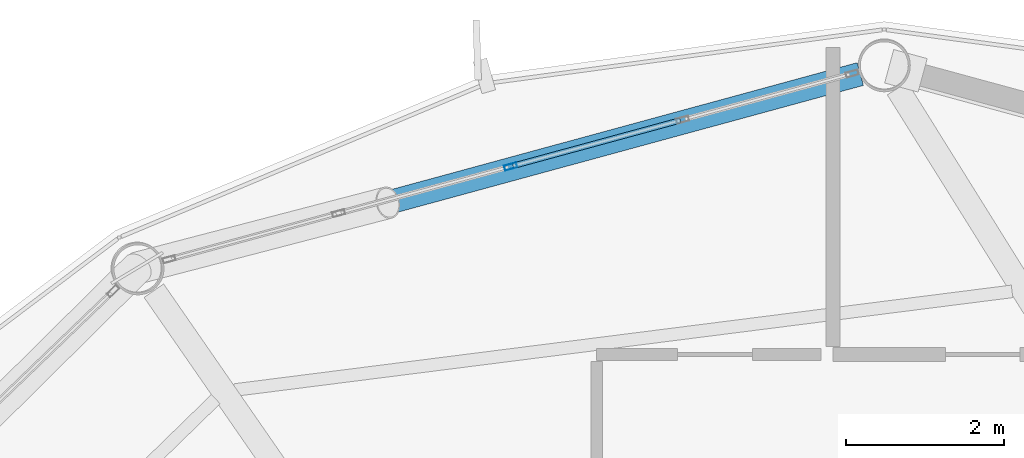
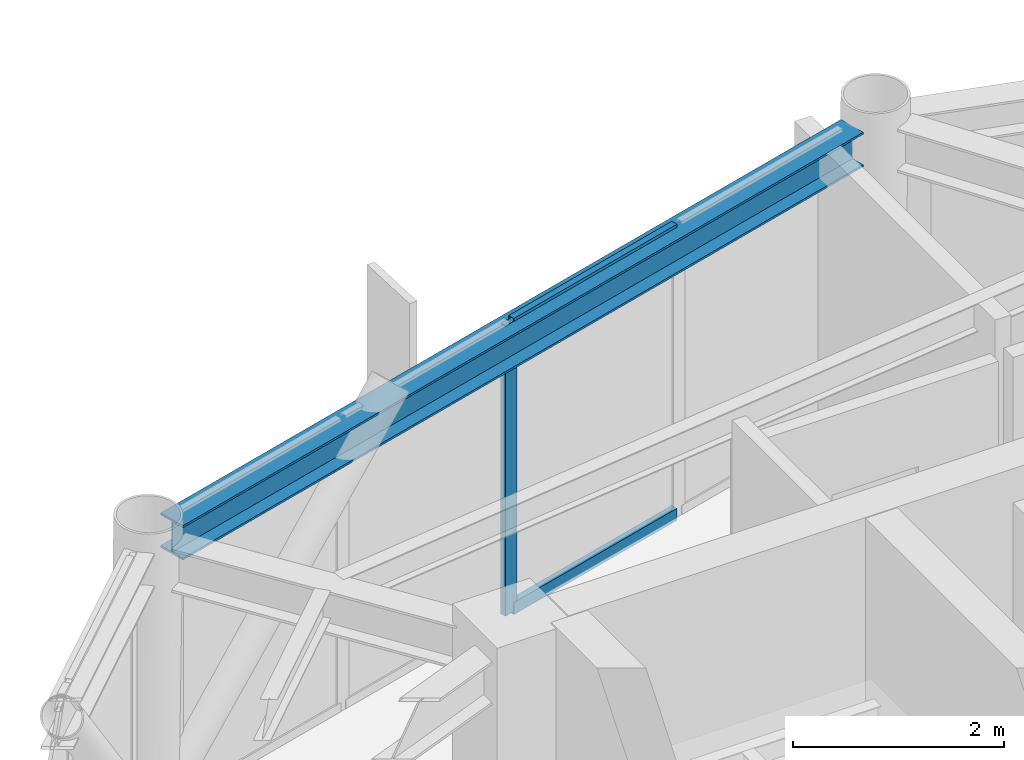
# One storey, part 19 of 28: 3 members, 1 beam, 1 element without a shape of its own.
"""IFC4 building model written with IfcOpenShell, lengths in metres."""

from ifc_helpers import new_model, si_unit, direction, frame, origin, origin_2d, place, context, subcontext, project, spatial, hollow_rectangle, i_section, extrude, material, layer, layer_set, material_profile, profile_set, type_object, element, aggregate, save


model = new_model("IFC4")

# Units and contexts
model_context = context("Model", 3, precision=1e-05, world=origin(), true_north=direction((0.0, 1.0)))
body_context = subcontext(model_context, "Body", "Model", "MODEL_VIEW")
ifc_project = project(units=[si_unit("LENGTHUNIT", "METRE"), si_unit("AREAUNIT", "SQUARE_METRE"), si_unit("VOLUMEUNIT", "CUBIC_METRE"), si_unit("PLANEANGLEUNIT", "RADIAN"), si_unit("MASSUNIT", "GRAM", prefix="KILO")], contexts=[model_context])

# Site, building, storey
site_placement = place(None, origin())
site = spatial("IfcSite", under=ifc_project, at=site_placement, CompositionType="ELEMENT")
building_placement = place(site_placement, origin())
building = spatial("IfcBuilding", under=site, at=building_placement, Name="Varnakorn Sky Granary", CompositionType="ELEMENT")
storey_placement = place(building_placement, frame((0.0, 0.0, 214.800048828125)))
storey = spatial("IfcBuildingStorey", under=building, at=storey_placement, Name="L54", CompositionType="ELEMENT", Elevation=214.800048828125)

# Beam
ifc_material_1 = material(Name="Steel S355JR", Category="steel")
ifc_material_profile_1 = material_profile(ifc_material_1, i_section(OverallWidth=0.300048828125, OverallDepth=0.39990234375, WebThickness=0.013427734375, FlangeThickness=0.02392578125, at=origin_2d()), Name="HE 400 B")
ifc_profile_set_1 = profile_set([ifc_material_profile_1], Name="Steel S355JR")
beam_type = type_object("IfcBeamType", Name="BM-SPD-Z4", PredefinedType="SPANDREL", material=ifc_profile_set_1)
beam_placement = place(storey_placement, frame((4.546142578125, 18.26123046875, 3.159912109375), z_axis=(-0.964843073533, -0.262826641449, 0.0), x_axis=(0.262826641449, -0.964843073533, 0.0)))
element("IfcBeam", 1, at=beam_placement, inside=storey, type_object=beam_type, Name="Perimeter Spandrel Ring Beam RB04 L54", PredefinedType="SPANDREL", context=body_context, shape_type="SweptSolid", body=[
    extrude(i_section(OverallWidth=0.300048828125, OverallDepth=0.39990234375, WebThickness=0.013427734375, FlangeThickness=0.02392578125, at=origin_2d()), origin(), (0.0, 0.0, 1.0), 9.16552734375),
])

# Curtain wall, members
ifc_material_2 = material(Name="Anodised Bronze Aluminium Alloy 6063-T6", Category="aluminium")
ifc_layer = layer(ifc_material_2, 0.169921875, Name="Anodised Bronze Aluminium Alloy 6063-T6")
ifc_layer_set = layer_set([ifc_layer], Name="Anodised Bronze Aluminium Alloy 6063-T6")
curtain_wall_type = type_object("IfcCurtainWallType", Name="CW-LAB-1", PredefinedType="USERDEFINED", material=ifc_layer_set)
curtain_wall_placement = place(storey_placement, origin())
curtain_wall = element("IfcCurtainWall", 2, at=curtain_wall_placement, inside=storey, type_object=curtain_wall_type, Name="Unitised Curtain Wall CW5 CW-L54-B04", ObjectType="CURTAIN WALL", PredefinedType="USERDEFINED")
ifc_material_profile_2 = material_profile(ifc_material_2, hollow_rectangle(XDim=0.06494140625, YDim=0.159912109375, WallThickness=0.00341796875, at=origin_2d()), Name="ALU MULL 65x160")
ifc_profile_set_2 = profile_set([ifc_material_profile_2], Name="Anodised Bronze Aluminium Alloy 6063-T6")
member_type_1 = type_object("IfcMemberType", Name="CW-LAB-1-MULL", PredefinedType="MULLION", material=ifc_profile_set_2)
member_1_placement = place(storey_placement, frame((0.107421875, 17.08740234375, 0.0), z_axis=(0.0, 0.0, 1.0), x_axis=(-0.262380522882, 0.964964487021, 0.0)))
member_1 = element("IfcMember", 3, at=member_1_placement, type_object=member_type_1, Name="CW5 mullion 3", PredefinedType="MULLION", context=body_context, shape_type="SweptSolid", body=[
    extrude(hollow_rectangle(XDim=0.06494140625, YDim=0.159912109375, WallThickness=0.00341796875, at=origin_2d()), origin(), (0.0, 0.0, 1.0), 3.35986328125),
])
ifc_material_profile_3 = material_profile(ifc_material_2, hollow_rectangle(XDim=0.070068359375, YDim=0.139892578125, WallThickness=0.00341796875, at=origin_2d()), Name="ALU TRAN 70x140")
ifc_profile_set_3 = profile_set([ifc_material_profile_3], Name="Anodised Bronze Aluminium Alloy 6063-T6")
member_type_2 = type_object("IfcMemberType", Name="CW-LAB-1-TRAN", PredefinedType="USERDEFINED", material=ifc_profile_set_3)
member_2_placement = place(storey_placement, frame((0.138916015625, 17.095947265625, 0.034912109375), z_axis=(0.964950747073, 0.262431049463, 0.0), x_axis=(-0.262431049463, 0.964950747073, 0.0)))
member_2 = element("IfcMember", 4, at=member_2_placement, type_object=member_type_2, Name="CW5 transom 3.1", ObjectType="TRANSOM", PredefinedType="USERDEFINED", context=body_context, shape_type="SweptSolid", body=[
    extrude(hollow_rectangle(XDim=0.070068359375, YDim=0.139892578125, WallThickness=0.00341796875, at=origin_2d()), origin(), (0.0, 0.0, 1.0), 2.197265625),
])
member_3_placement = place(storey_placement, frame((0.138916015625, 17.095947265625, 3.324951171875), z_axis=(0.964950747073, 0.262431049463, 0.0), x_axis=(-0.262431049463, 0.964950747073, 0.0)))
member_3 = element("IfcMember", 5, at=member_3_placement, type_object=member_type_2, Name="CW5 transom 3.2", ObjectType="TRANSOM", PredefinedType="USERDEFINED", context=body_context, shape_type="SweptSolid", body=[
    extrude(hollow_rectangle(XDim=0.070068359375, YDim=0.139892578125, WallThickness=0.00341796875, at=origin_2d()), origin(), (0.0, 0.0, 1.0), 2.197265625),
])
aggregate(curtain_wall, [member_1, member_2, member_3])

save(model, "model.ifc")
